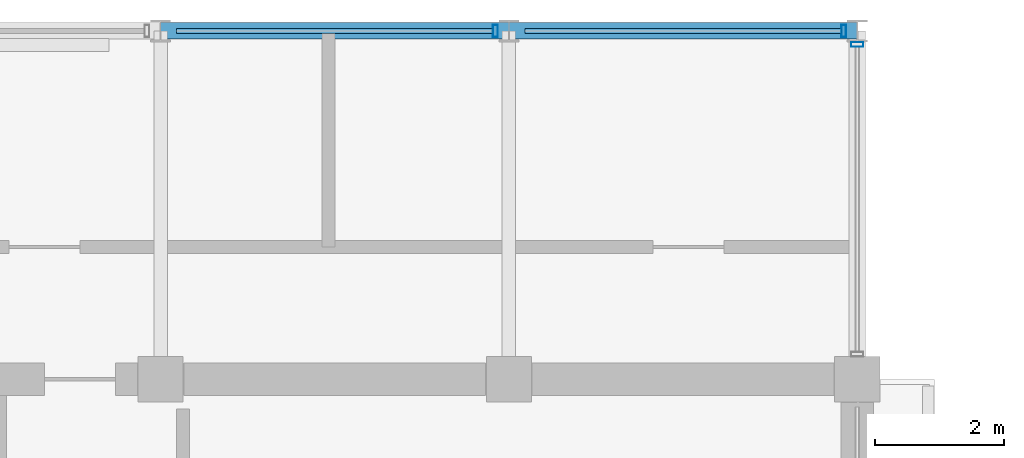
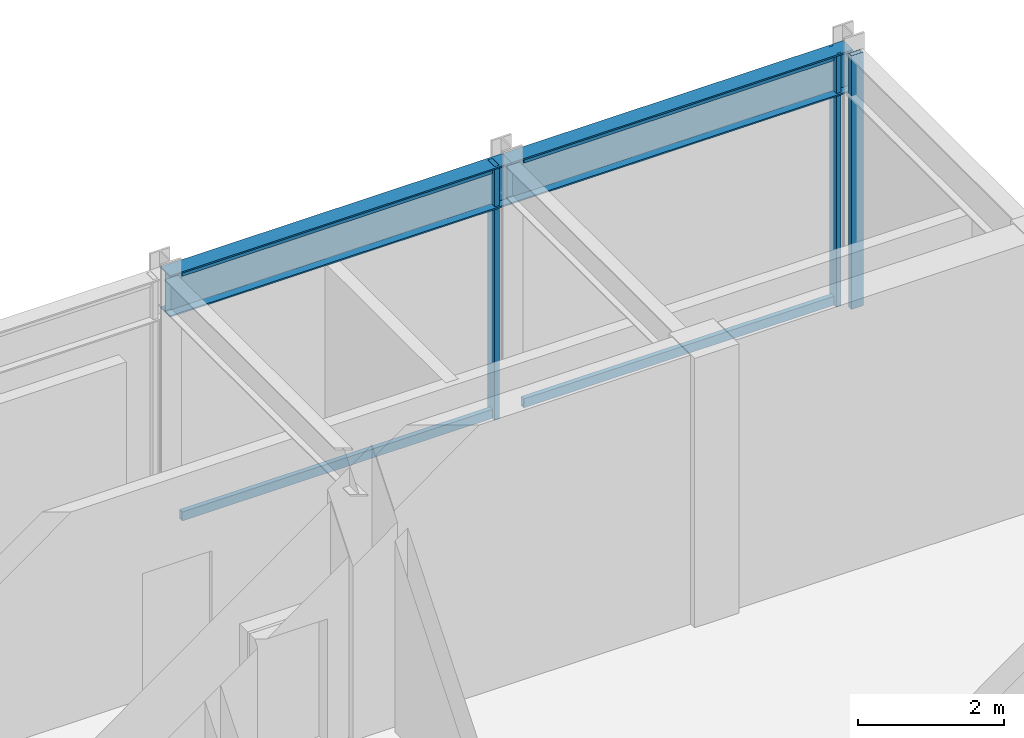
# One storey, part 13 of 18: 7 members, 2 beams, 2 elements without a shape of their own.
"""IFC4 building model written with IfcOpenShell, lengths in metres."""

import ifcopenshell
import ifcopenshell.guid

model = None  # the IFC model being written
_history = None  # IfcOwnerHistory: only IFC2X3 demands one
_inside = {}  # id of a spatial element -> (the spatial element, [elements in it])
_under = {}  # id of a project, library or spatial element -> (it, [spatial elements below it])
_declared = {}  # id of a project -> (the project, [libraries it declares])
_typed = {}  # id of a type object -> (the type object, [elements of that type])
_made_of = {}  # id of a material, layer set ... -> (it, [elements and type objects made of it])


def new_model(schema):
    """Start an empty IFC model of exactly this schema.

    Asked for "IFC4X3", IfcOpenShell would pick the latest addendum, in which some entities
    have other attributes; the version numbers below select the first issue.
    IFC2X3 requires an IfcOwnerHistory on every rooted entity: one is made here for all.
    """
    global model, _history
    if schema == "IFC4X3":
        model = ifcopenshell.file(schema_version=(4, 3, 0, 0))
    else:
        model = ifcopenshell.file(schema=schema)
    _inside.clear()
    _under.clear()
    _declared.clear()
    _typed.clear()
    _made_of.clear()
    _history = None
    if model.schema == "IFC2X3":
        org = make("IfcOrganization", Name="unknown")
        user = make(
            "IfcPersonAndOrganization",
            ThePerson=make("IfcPerson", FamilyName="unknown"),
            TheOrganization=org,
        )
        app = make(
            "IfcApplication",
            ApplicationDeveloper=org,
            Version="unknown",
            ApplicationFullName="unknown",
            ApplicationIdentifier="unknown",
        )
        _history = make(
            "IfcOwnerHistory",
            OwningUser=user,
            OwningApplication=app,
            ChangeAction="ADDED",
            CreationDate=0,
        )
    return model


def make(cls, **values):
    """One entity of the class cls with the attributes given. An attribute that is None is left unset."""
    return model.create_entity(
        cls, **{name: value for name, value in values.items() if value is not None}
    )


def rooted(cls, **values):
    """An entity with a GlobalId (a new one), such as an element, a storey or a relation."""
    return make(cls, GlobalId=ifcopenshell.guid.new(), OwnerHistory=_history, **values)


def si_unit(unit_type, name, prefix=None):
    """IfcSIUnit, for example si_unit("LENGTHUNIT", "METRE", prefix="MILLI")."""
    return make("IfcSIUnit", UnitType=unit_type, Prefix=prefix, Name=name)


def assignment(units):
    """IfcUnitAssignment: the units of a project."""
    return None if units is None else make("IfcUnitAssignment", Units=units)


def point(xyz):
    """IfcCartesianPoint."""
    return None if xyz is None else make("IfcCartesianPoint", Coordinates=xyz)


def direction(xyz):
    """IfcDirection."""
    return None if xyz is None else make("IfcDirection", DirectionRatios=xyz)


def frame(location, z_axis=None, x_axis=None):
    """IfcAxis2Placement3D, a coordinate frame: its origin and axes. An axis left out is left unset."""
    return make(
        "IfcAxis2Placement3D",
        Location=point(location),
        Axis=direction(z_axis),
        RefDirection=direction(x_axis),
    )


def frame_2d(location, x_axis=None):
    """IfcAxis2Placement2D, a coordinate frame in the plane: its origin and x axis."""
    return make(
        "IfcAxis2Placement2D", Location=point(location), RefDirection=direction(x_axis)
    )


def origin():
    """The frame at (0, 0, 0) with its axes left unset."""
    return frame((0.0, 0.0, 0.0))


def origin_2d():
    """The frame at (0, 0) in the plane with its x axis left unset."""
    return frame_2d((0.0, 0.0))


def place(relative_to, where):
    """IfcLocalPlacement: puts the frame where relative to a parent placement (None: the world)."""
    return make(
        "IfcLocalPlacement", PlacementRelTo=relative_to, RelativePlacement=where
    )


def context(
    kind, dimensions, precision=None, world=None, true_north=None, identifier=None
):
    """IfcGeometricRepresentationContext, for example the 3D "Model" context."""
    return make(
        "IfcGeometricRepresentationContext",
        ContextIdentifier=identifier,
        ContextType=kind,
        CoordinateSpaceDimension=dimensions,
        Precision=precision,
        WorldCoordinateSystem=world,
        TrueNorth=true_north,
    )


def subcontext(parent, identifier, kind, view, scale=None):
    """IfcGeometricRepresentationSubContext, for example "Body" below "Model"."""
    return make(
        "IfcGeometricRepresentationSubContext",
        ContextIdentifier=identifier,
        ContextType=kind,
        ParentContext=parent,
        TargetScale=scale,
        TargetView=view,
    )


def project(units=None, contexts=None):
    """IfcProject with its units and contexts."""
    return rooted(
        "IfcProject",
        Name="project",
        RepresentationContexts=contexts,
        UnitsInContext=assignment(units),
    )


def spatial(cls, under=None, at=None, **own):
    """A site, building, storey or space (cls), placed at a placement, below another one or the project."""
    s = rooted(cls, ObjectPlacement=at, **own)
    if under is not None:
        _under.setdefault(under.id(), (under, []))[1].append(s)
    return s


def profile(cls, at=None, kind="AREA", **sizes):
    """A parametric profile (cls). Its sizes go by their IFC names, for example OverallWidth=200.0."""
    return make(cls, ProfileType=kind, Position=at, **sizes)


def hollow_rectangle(**sizes):
    """IfcRectangleHollowProfileDef."""
    return profile("IfcRectangleHollowProfileDef", **sizes)


def i_section(**sizes):
    """IfcIShapeProfileDef."""
    return profile("IfcIShapeProfileDef", **sizes)


def extrude(swept, where, along, depth):
    """IfcExtrudedAreaSolid: the profile swept, set in the frame where, extruded along a direction by depth."""
    return make(
        "IfcExtrudedAreaSolid",
        SweptArea=swept,
        Position=where,
        ExtrudedDirection=direction(along),
        Depth=depth,
    )


def shape(context_of_items, identifier, shape_type, items):
    """IfcShapeRepresentation: the items that make up one representation, for example the "Body"."""
    return make(
        "IfcShapeRepresentation",
        ContextOfItems=context_of_items,
        RepresentationIdentifier=identifier,
        RepresentationType=shape_type,
        Items=items,
    )


def material(Name=None, Category=None):
    """IfcMaterial."""
    return make("IfcMaterial", Name=Name, Category=Category)


def layer(
    of_material, thickness, ventilated=None, Name=None, Category=None, Priority=None
):
    """IfcMaterialLayer: one layer of a wall or slab, of a material (None: an air gap)."""
    return make(
        "IfcMaterialLayer",
        Material=of_material,
        LayerThickness=thickness,
        IsVentilated=ventilated,
        Name=Name,
        Category=Category,
        Priority=Priority,
    )


def layer_set(layers, Name=None):
    """IfcMaterialLayerSet."""
    return make("IfcMaterialLayerSet", MaterialLayers=layers, LayerSetName=Name)


def material_profile(
    of_material, cross_section, Name=None, Category=None, Priority=None
):
    """IfcMaterialProfile: a cross section and its material."""
    return make(
        "IfcMaterialProfile",
        Name=Name,
        Material=of_material,
        Profile=cross_section,
        Priority=Priority,
        Category=Category,
    )


def profile_set(profiles, Name=None, composite=None):
    """IfcMaterialProfileSet."""
    return make(
        "IfcMaterialProfileSet",
        Name=Name,
        MaterialProfiles=profiles,
        CompositeProfile=composite,
    )


def made_of(thing, what):
    """Note that an element or type object is made of a material, layer set ...; save() writes the relation."""
    if what is not None:
        _made_of.setdefault(what.id(), (what, []))[1].append(thing)
    return thing


def type_object(cls, material=None, **own):
    """A type object (cls), such as IfcWallType, which elements share."""
    return made_of(rooted(cls, **own), material)


def element(
    cls,
    number,
    at=None,
    inside=None,
    cuts=None,
    type_object=None,
    material=None,
    context=None,
    identifier="Body",
    shape_type=None,
    held_by="IfcProductDefinitionShape",
    body=None,
    shapes=None,
    **own,
):
    """One element of the class cls, such as IfcWall. Its Tag is "e" and its number.

    at: its placement. inside: the storey or other place that contains it. cuts: it is an
    opening in that element (IfcRelVoidsElement). A single representation is given by context,
    identifier, shape_type and body (its items); several are given by shapes. held_by: the class
    of the entity that holds the representations. save() writes the other relations.
    """
    e = rooted(cls, Tag="e%d" % number, ObjectPlacement=at, **own)
    if body is not None:
        shapes = [shape(context, identifier, shape_type, body)]
    if shapes is not None:
        e.Representation = make(held_by, Representations=shapes)
    if inside is not None:
        _inside.setdefault(inside.id(), (inside, []))[1].append(e)
    if cuts is not None:
        rooted(
            "IfcRelVoidsElement", RelatingBuildingElement=cuts, RelatedOpeningElement=e
        )
    if type_object is not None:
        _typed.setdefault(type_object.id(), (type_object, []))[1].append(e)
    return made_of(e, material)


def aggregate(whole, parts):
    """IfcRelAggregates: a whole, such as a stair, and the parts it consists of."""
    return rooted("IfcRelAggregates", RelatingObject=whole, RelatedObjects=parts)


def save(model, path):
    """Write the relations noted so far, then the file.

    IfcRelAggregates (storeys below a building ...), IfcRelContainedInSpatialStructure (elements
    in a storey), IfcRelDefinesByType, IfcRelAssociatesMaterial and IfcRelDeclares: one each for
    every whole, place, type object, material and project.
    """
    for whole, parts in _under.values():
        aggregate(whole, parts)
    for where, things in _inside.values():
        rooted(
            "IfcRelContainedInSpatialStructure",
            RelatedElements=things,
            RelatingStructure=where,
        )
    for kind, things in _typed.values():
        rooted("IfcRelDefinesByType", RelatedObjects=things, RelatingType=kind)
    for what, things in _made_of.values():
        rooted("IfcRelAssociatesMaterial", RelatedObjects=things, RelatingMaterial=what)
    for by, libraries in _declared.values():
        rooted("IfcRelDeclares", RelatingContext=by, RelatedDefinitions=libraries)
    model.write(path)


model = new_model("IFC4")

# Units and contexts
model_context = context("Model", 3, precision=1e-05, world=origin(), true_north=direction((0.0, 1.0)))
body_context = subcontext(model_context, "Body", "Model", "MODEL_VIEW")
ifc_project = project(units=[si_unit("LENGTHUNIT", "METRE"), si_unit("AREAUNIT", "SQUARE_METRE"), si_unit("VOLUMEUNIT", "CUBIC_METRE"), si_unit("PLANEANGLEUNIT", "RADIAN"), si_unit("MASSUNIT", "GRAM", prefix="KILO")], contexts=[model_context])

# Site, building, storey
site_placement = place(None, origin())
site = spatial("IfcSite", under=ifc_project, at=site_placement, CompositionType="ELEMENT")
building_placement = place(site_placement, origin())
building = spatial("IfcBuilding", under=site, at=building_placement, Name="Surkhivell Harbour Commons", CompositionType="ELEMENT")
storey_placement = place(building_placement, frame((0.0, 0.0, 360.0)))
storey = spatial("IfcBuildingStorey", under=building, at=storey_placement, Name="L93", CompositionType="ELEMENT", Elevation=360.0)

# Beams
ifc_material_1 = material(Name="Steel S355", Category="steel")
ifc_material_profile_1 = material_profile(ifc_material_1, i_section(OverallWidth=0.256103515625, OverallDepth=0.693115234375, WebThickness=0.014404296875, FlangeThickness=0.023681640625, at=origin_2d()), Name="UB686x254x170")
ifc_profile_set_1 = profile_set([ifc_material_profile_1], Name="Steel S355")
beam_type = type_object("IfcBeamType", Name="BM-SPN-686", PredefinedType="SPANDREL", material=ifc_profile_set_1)
beam_1_placement = place(storey_placement, frame((0.0, 16.199951171875, 3.8935546875), z_axis=(1.0, 0.0, 0.0), x_axis=(0.0, 1.0, 0.0)))
element("IfcBeam", 1, at=beam_1_placement, inside=storey, type_object=beam_type, Name="L93 Tube Spandrel (0.0,16.2)", PredefinedType="SPANDREL", context=body_context, shape_type="SweptSolid", body=[
    extrude(i_section(OverallWidth=0.256103515625, OverallDepth=0.693115234375, WebThickness=0.014404296875, FlangeThickness=0.023681640625, at=origin_2d()), origin(), (0.0, 0.0, 1.0), 5.39990234375),
])
beam_2_placement = place(storey_placement, frame((5.39990234375, 16.199951171875, 3.8935546875), z_axis=(1.0, 0.0, 0.0), x_axis=(0.0, 1.0, 0.0)))
element("IfcBeam", 2, at=beam_2_placement, inside=storey, type_object=beam_type, Name="L93 Tube Spandrel (5.4,16.2)", PredefinedType="SPANDREL", context=body_context, shape_type="SweptSolid", body=[
    extrude(i_section(OverallWidth=0.256103515625, OverallDepth=0.693115234375, WebThickness=0.014404296875, FlangeThickness=0.023681640625, at=origin_2d()), origin(), (0.0, 0.0, 1.0), 5.400146484375),
])

# Curtain wall, member
ifc_material_2 = material(Name="Anodised pale-metal aluminium and insulated glazing", Category="aluminium")
ifc_layer = layer(ifc_material_2, 0.22998046875)
ifc_layer_set = layer_set([ifc_layer], Name="Anodised pale-metal aluminium and insulated glazing")
curtain_wall_type = type_object("IfcCurtainWallType", Name="CW-SYS-CRN", PredefinedType="NOTDEFINED", material=ifc_layer_set)
curtain_wall_1_placement = place(storey_placement, origin())
curtain_wall_1 = element("IfcCurtainWall", 3, at=curtain_wall_1_placement, inside=storey, type_object=curtain_wall_type, Name="L93 Curtain Wall CW-L93-C01S1", PredefinedType="NOTDEFINED")
ifc_material_3 = material(Name="Anodised pale-metal aluminium alloy 6063-T6", Category="aluminium")
ifc_material_profile_2 = material_profile(ifc_material_3, hollow_rectangle(XDim=0.074951171875, YDim=0.18994140625, WallThickness=0.00390625, at=origin_2d()), Name="ALU-MULL-75x190")
ifc_profile_set_2 = profile_set([ifc_material_profile_2], Name="Anodised pale-metal aluminium alloy 6063-T6")
member_type_1 = type_object("IfcMemberType", Name="CWM-190", PredefinedType="MULLION", material=ifc_profile_set_2)
member_1_placement = place(storey_placement, frame((10.800048828125, 15.990478515625, 0.0), z_axis=(0.0, 0.0, 1.0), x_axis=(0.0, 1.0, 0.0)))
member_1 = element("IfcMember", 4, at=member_1_placement, type_object=member_type_1, Name="CW-CRN mullion 6", PredefinedType="MULLION", context=body_context, shape_type="SweptSolid", body=[
    extrude(hollow_rectangle(XDim=0.074951171875, YDim=0.18994140625, WallThickness=0.00390625, at=origin_2d()), origin(), (0.0, 0.0, 1.0), 4.239990234375),
])
aggregate(curtain_wall_1, [member_1])

# Curtain wall, members
curtain_wall_2_placement = place(storey_placement, origin())
curtain_wall_2 = element("IfcCurtainWall", 5, at=curtain_wall_2_placement, inside=storey, type_object=curtain_wall_type, Name="L93 Curtain Wall CW-L93-C02", PredefinedType="NOTDEFINED")
member_2_placement = place(storey_placement, frame((10.590576171875, 16.199951171875, 0.0), z_axis=(0.0, 0.0, 1.0), x_axis=(-1.0, 0.0, 0.0)))
member_2 = element("IfcMember", 6, at=member_2_placement, type_object=member_type_1, Name="CW-CRN mullion 1", PredefinedType="MULLION", context=body_context, shape_type="SweptSolid", body=[
    extrude(hollow_rectangle(XDim=0.074951171875, YDim=0.18994140625, WallThickness=0.00390625, at=origin_2d()), origin(), (0.0, 0.0, 1.0), 4.239990234375),
])
member_3_placement = place(storey_placement, frame((5.1904296875, 16.199951171875, 0.0), z_axis=(0.0, 0.0, 1.0), x_axis=(-1.0, 0.0, 0.0)))
member_3 = element("IfcMember", 7, at=member_3_placement, type_object=member_type_1, Name="CW-CRN mullion 2", PredefinedType="MULLION", context=body_context, shape_type="SweptSolid", body=[
    extrude(hollow_rectangle(XDim=0.074951171875, YDim=0.18994140625, WallThickness=0.00390625, at=origin_2d()), origin(), (0.0, 0.0, 1.0), 4.239990234375),
])
ifc_material_profile_3 = material_profile(ifc_material_3, hollow_rectangle(XDim=0.074951171875, YDim=0.14990234375, WallThickness=0.00341796875, at=origin_2d()), Name="ALU-TRAN-75x150")
ifc_profile_set_3 = profile_set([ifc_material_profile_3], Name="Anodised pale-metal aluminium alloy 6063-T6")
member_type_2 = type_object("IfcMemberType", Name="CWT-150", PredefinedType="USERDEFINED", material=ifc_profile_set_3)
member_4_placement = place(storey_placement, frame((10.552978515625, 16.199951171875, 0.074951171875), z_axis=(-1.0, 0.0, 0.0), x_axis=(0.0, -1.0, 0.0)))
member_4 = element("IfcMember", 8, at=member_4_placement, type_object=member_type_2, Name="CW-CRN transom 1.1", ObjectType="TRANSOM", PredefinedType="USERDEFINED", context=body_context, shape_type="SweptSolid", body=[
    extrude(hollow_rectangle(XDim=0.074951171875, YDim=0.14990234375, WallThickness=0.00341796875, at=origin_2d()), origin(), (0.0, 0.0, 1.0), 4.906005859375),
])
member_5_placement = place(storey_placement, frame((10.552978515625, 16.199951171875, 4.1650390625), z_axis=(-1.0, 0.0, 0.0), x_axis=(0.0, -1.0, 0.0)))
member_5 = element("IfcMember", 9, at=member_5_placement, type_object=member_type_2, Name="CW-CRN transom 1.2", ObjectType="TRANSOM", PredefinedType="USERDEFINED", context=body_context, shape_type="SweptSolid", body=[
    extrude(hollow_rectangle(XDim=0.074951171875, YDim=0.14990234375, WallThickness=0.00341796875, at=origin_2d()), origin(), (0.0, 0.0, 1.0), 4.906005859375),
])
member_6_placement = place(storey_placement, frame((5.153076171875, 16.199951171875, 0.074951171875), z_axis=(-1.0, 0.0, 0.0), x_axis=(0.0, -1.0, 0.0)))
member_6 = element("IfcMember", 10, at=member_6_placement, type_object=member_type_2, Name="CW-CRN transom 2.1", ObjectType="TRANSOM", PredefinedType="USERDEFINED", context=body_context, shape_type="SweptSolid", body=[
    extrude(hollow_rectangle(XDim=0.074951171875, YDim=0.14990234375, WallThickness=0.00341796875, at=origin_2d()), origin(), (0.0, 0.0, 1.0), 4.906005859375),
])
member_7_placement = place(storey_placement, frame((5.153076171875, 16.199951171875, 4.1650390625), z_axis=(-1.0, 0.0, 0.0), x_axis=(0.0, -1.0, 0.0)))
member_7 = element("IfcMember", 11, at=member_7_placement, type_object=member_type_2, Name="CW-CRN transom 2.2", ObjectType="TRANSOM", PredefinedType="USERDEFINED", context=body_context, shape_type="SweptSolid", body=[
    extrude(hollow_rectangle(XDim=0.074951171875, YDim=0.14990234375, WallThickness=0.00341796875, at=origin_2d()), origin(), (0.0, 0.0, 1.0), 4.906005859375),
])
aggregate(curtain_wall_2, [member_2, member_4, member_5, member_3, member_6, member_7])

save(model, "model.ifc")
